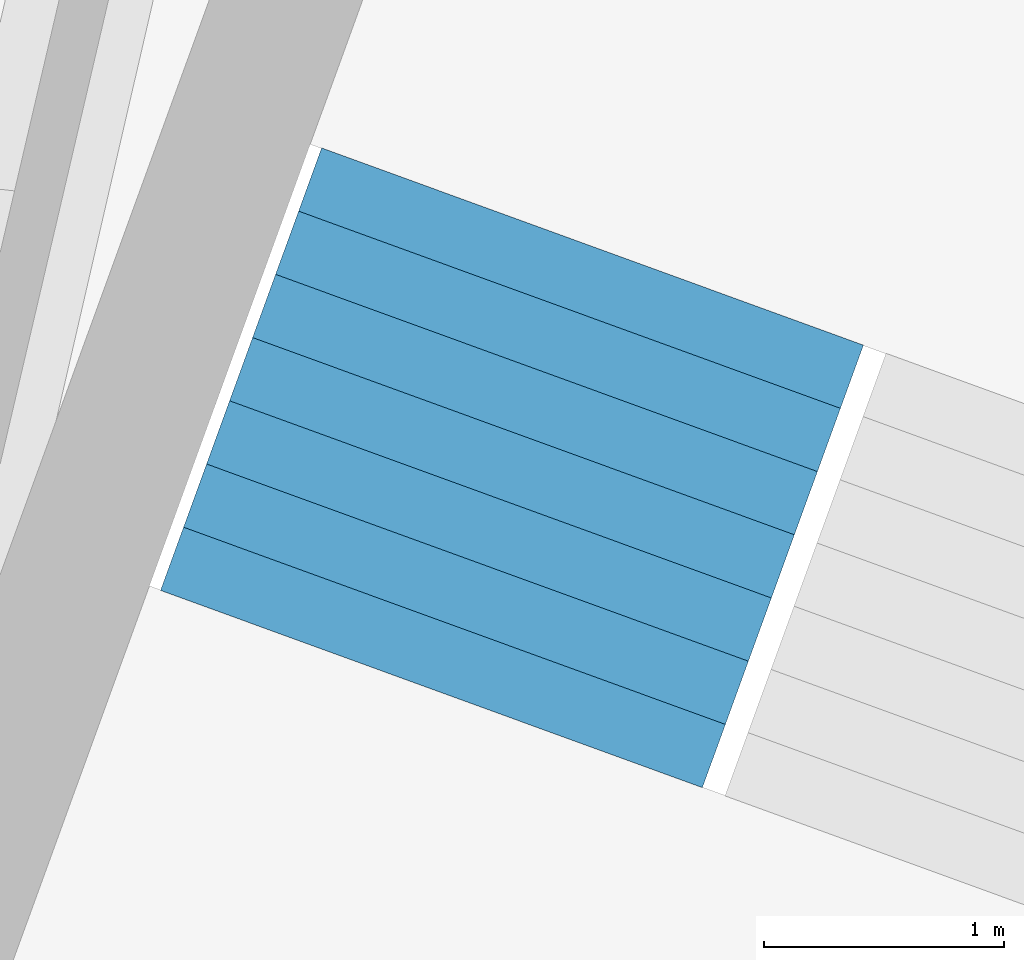
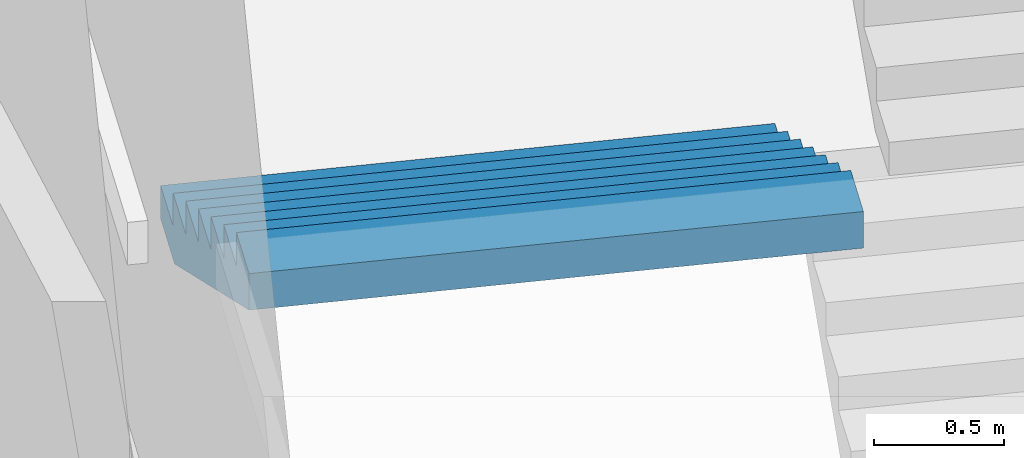
# One storey, part 45 of 73: 1 stair flight, 1 element without a shape of its own.
"""IFC4 building model written with IfcOpenShell, lengths in metres."""

from ifc_helpers import new_model, si_unit, direction, frame, origin, place, context, subcontext, project, spatial, triangles, material, type_object, element, aggregate, save


model = new_model("IFC4")

# Units and contexts
model_context = context("Model", 3, precision=1e-05, world=origin(), true_north=direction((0.0, 1.0)))
body_context = subcontext(model_context, "Body", "Model", "MODEL_VIEW")
ifc_project = project(units=[si_unit("LENGTHUNIT", "METRE"), si_unit("AREAUNIT", "SQUARE_METRE"), si_unit("VOLUMEUNIT", "CUBIC_METRE"), si_unit("PLANEANGLEUNIT", "RADIAN"), si_unit("MASSUNIT", "GRAM", prefix="KILO")], contexts=[model_context])

# Site, building, storey
site_placement = place(None, origin())
site = spatial("IfcSite", under=ifc_project, at=site_placement, CompositionType="ELEMENT")
building_placement = place(site_placement, origin())
building = spatial("IfcBuilding", under=site, at=building_placement, Name="Lantaw Convention Tower", CompositionType="ELEMENT")
storey_placement = place(building_placement, frame((0.0, 0.0, 27.0)))
storey = spatial("IfcBuildingStorey", under=building, at=storey_placement, Name="L04", CompositionType="ELEMENT", Elevation=27.0)

# Stair, stair flight
ifc_material = material(Name="Concrete C35/45", Category="concrete")
stair_type = type_object("IfcStairType", Name="Exit stair 2400 riser 156.25 in 4 flights", PredefinedType="HALF_TURN_STAIR", material=ifc_material)
stair_placement = place(storey_placement, origin())
stair = element("IfcStair", 1, at=stair_placement, inside=storey, type_object=stair_type, Name="Podium exit stair P5 L04", PredefinedType="HALF_TURN_STAIR")
stair_flight_type = type_object("IfcStairFlightType", Name="Stair flight 2400 riser 156.25", PredefinedType="STRAIGHT", material=ifc_material)
stair_flight_placement = place(storey_placement, frame((8.79736328125, 27.825439453125, 1.25), z_axis=(0.0, 0.0, 1.0), x_axis=(-0.342020143326, -0.939692620786, 0.0)))
stair_flight = element("IfcStairFlight", 2, at=stair_flight_placement, type_object=stair_flight_type, Name="P5 flight 2", NumberOfRisers=8, NumberOfTreads=7, PredefinedType="STRAIGHT", RiserHeight=0.15625, TreadLength=0.28, context=body_context, shape_type="Tessellation", body=[
    triangles([(0.0, 1.199951171875, 0.0), (0.0, 1.199951171875, 0.15625), (0.28, 1.199951171875, 0.0), (0.28, 1.199951171875, 0.15625), (0.28, 1.199951171875, 0.3125), (0.3076200632058044, 1.199951171875, 0.0), (0.3076200632058044, 1.199951171875, 0.3125), (0.56, 1.199951171875, 0.14083701830033238), (0.56, 1.199951171875, 0.3125), (0.56, 1.199951171875, 0.46875), (0.8400000000000001, 1.199951171875, 0.29708701830033235), (0.8400000000000001, 1.199951171875, 0.46875), (0.8400000000000001, 1.199951171875, 0.625), (1.12, 1.199951171875, 0.45333701830033235), (1.12, 1.199951171875, 0.625), (1.12, 1.199951171875, 0.78125), (1.4000000000000001, 1.199951171875, 0.6095870183003324), (1.4000000000000001, 1.199951171875, 0.78125), (1.4000000000000001, 1.199951171875, 0.9375), (1.6800000000000002, 1.199951171875, 0.7658370183003324), (1.6800000000000002, 1.199951171875, 0.9375), (1.6800000000000002, 1.199951171875, 1.09375), (1.9600000000000002, 1.199951171875, 0.9220870183003324), (1.9600000000000002, 1.199951171875, 1.09375), (0.0, -1.199951171875, 0.0), (0.0, -1.199951171875, 0.15625), (0.28, -1.199951171875, 0.0), (0.28, -1.199951171875, 0.15625), (0.28, -1.199951171875, 0.3125), (0.3076200632058044, -1.199951171875, 0.0), (0.3076200632058044, -1.199951171875, 0.3125), (0.56, -1.199951171875, 0.14083701830033238), (0.56, -1.199951171875, 0.3125), (0.56, -1.199951171875, 0.46875), (0.8400000000000001, -1.199951171875, 0.29708701830033235), (0.8400000000000001, -1.199951171875, 0.46875), (0.8400000000000001, -1.199951171875, 0.625), (1.12, -1.199951171875, 0.45333701830033235), (1.12, -1.199951171875, 0.625), (1.12, -1.199951171875, 0.78125), (1.4000000000000001, -1.199951171875, 0.6095870183003324), (1.4000000000000001, -1.199951171875, 0.78125), (1.4000000000000001, -1.199951171875, 0.9375), (1.6800000000000002, -1.199951171875, 0.7658370183003324), (1.6800000000000002, -1.199951171875, 0.9375), (1.6800000000000002, -1.199951171875, 1.09375), (1.9600000000000002, -1.199951171875, 0.9220870183003324), (1.9600000000000002, -1.199951171875, 1.09375), (0.0, 0.239990234375, 0.15625), (0.0, 0.239990234375, 0.0), (0.0, 0.1919921875, 0.15625), (0.0, 0.1919921875, 0.0), (0.0, 0.143994140625, 0.15625), (0.0, 0.143994140625, 0.0), (0.0, 0.09599609375, 0.15625), (0.0, 0.09599609375, 0.0), (0.0, 0.047998046875, 0.15625), (0.0, 0.047998046875, 0.0), (0.0, 0.0, 0.15625), (0.0, 0.0, 0.0), (0.0, -0.047998046875, 0.15625), (0.0, -0.047998046875, 0.0), (0.0, -0.09599609375, 0.15625), (0.0, -0.09599609375, 0.0), (0.0, -0.143994140625, 0.15625), (0.0, -0.143994140625, 0.0), (0.0, -0.1919921875, 0.15625), (0.0, -0.1919921875, 0.0), (0.0, -0.239990234375, 0.15625), (0.0, -0.239990234375, 0.0), (0.28, 0.239990234375, 0.3125), (0.28, 0.239990234375, 0.15625), (0.28, 0.1919921875, 0.3125), (0.28, 0.1919921875, 0.15625), (0.28, 0.143994140625, 0.3125), (0.28, 0.143994140625, 0.15625), (0.28, 0.09599609375, 0.3125), (0.28, 0.09599609375, 0.15625), (0.28, 0.047998046875, 0.3125), (0.28, 0.047998046875, 0.15625), (0.28, 0.0, 0.3125), (0.28, 0.0, 0.15625), (0.28, -0.047998046875, 0.3125), (0.28, -0.047998046875, 0.15625), (0.28, -0.09599609375, 0.3125), (0.28, -0.09599609375, 0.15625), (0.28, -0.143994140625, 0.3125), (0.28, -0.143994140625, 0.15625), (0.28, -0.1919921875, 0.3125), (0.28, -0.1919921875, 0.15625), (0.28, -0.239990234375, 0.3125), (0.28, -0.239990234375, 0.15625), (0.56, 0.239990234375, 0.46875), (0.56, 0.239990234375, 0.3125), (0.56, 0.1919921875, 0.46875), (0.56, 0.1919921875, 0.3125), (0.56, 0.143994140625, 0.46875), (0.56, 0.143994140625, 0.3125), (0.56, 0.09599609375, 0.46875), (0.56, 0.09599609375, 0.3125), (0.56, 0.047998046875, 0.46875), (0.56, 0.047998046875, 0.3125), (0.56, 0.0, 0.46875), (0.56, 0.0, 0.3125), (0.56, -0.047998046875, 0.46875), (0.56, -0.047998046875, 0.3125), (0.56, -0.09599609375, 0.46875), (0.56, -0.09599609375, 0.3125), (0.56, -0.143994140625, 0.46875), (0.56, -0.143994140625, 0.3125), (0.56, -0.1919921875, 0.46875), (0.56, -0.1919921875, 0.3125), (0.56, -0.239990234375, 0.46875), (0.56, -0.239990234375, 0.3125), (0.8400000000000001, 0.239990234375, 0.625), (0.8400000000000001, 0.239990234375, 0.46875), (0.8400000000000001, 0.1919921875, 0.625), (0.8400000000000001, 0.1919921875, 0.46875), (0.8400000000000001, 0.143994140625, 0.625), (0.8400000000000001, 0.143994140625, 0.46875), (0.8400000000000001, 0.09599609375, 0.625), (0.8400000000000001, 0.09599609375, 0.46875), (0.8400000000000001, 0.047998046875, 0.625), (0.8400000000000001, 0.047998046875, 0.46875), (0.8400000000000001, 0.0, 0.625), (0.8400000000000001, 0.0, 0.46875), (0.8400000000000001, -0.047998046875, 0.625), (0.8400000000000001, -0.047998046875, 0.46875), (0.8400000000000001, -0.09599609375, 0.625), (0.8400000000000001, -0.09599609375, 0.46875), (0.8400000000000001, -0.143994140625, 0.625), (0.8400000000000001, -0.143994140625, 0.46875), (0.8400000000000001, -0.1919921875, 0.625), (0.8400000000000001, -0.1919921875, 0.46875), (0.8400000000000001, -0.239990234375, 0.625), (0.8400000000000001, -0.239990234375, 0.46875), (1.12, 0.239990234375, 0.78125), (1.12, 0.239990234375, 0.625), (1.12, 0.1919921875, 0.78125), (1.12, 0.1919921875, 0.625), (1.12, 0.143994140625, 0.78125), (1.12, 0.143994140625, 0.625), (1.12, 0.09599609375, 0.78125), (1.12, 0.09599609375, 0.625), (1.12, 0.047998046875, 0.78125), (1.12, 0.047998046875, 0.625), (1.12, 0.0, 0.78125), (1.12, 0.0, 0.625), (1.12, -0.047998046875, 0.78125), (1.12, -0.047998046875, 0.625), (1.12, -0.09599609375, 0.78125), (1.12, -0.09599609375, 0.625), (1.12, -0.143994140625, 0.78125), (1.12, -0.143994140625, 0.625), (1.12, -0.1919921875, 0.78125), (1.12, -0.1919921875, 0.625), (1.12, -0.239990234375, 0.78125), (1.12, -0.239990234375, 0.625), (1.4000000000000001, 0.239990234375, 0.9375), (1.4000000000000001, 0.239990234375, 0.78125), (1.4000000000000001, 0.1919921875, 0.9375), (1.4000000000000001, 0.1919921875, 0.78125), (1.4000000000000001, 0.143994140625, 0.9375), (1.4000000000000001, 0.143994140625, 0.78125), (1.4000000000000001, 0.09599609375, 0.9375), (1.4000000000000001, 0.09599609375, 0.78125), (1.4000000000000001, 0.047998046875, 0.9375), (1.4000000000000001, 0.047998046875, 0.78125), (1.4000000000000001, 0.0, 0.9375), (1.4000000000000001, 0.0, 0.78125), (1.4000000000000001, -0.047998046875, 0.9375), (1.4000000000000001, -0.047998046875, 0.78125), (1.4000000000000001, -0.09599609375, 0.9375), (1.4000000000000001, -0.09599609375, 0.78125), (1.4000000000000001, -0.143994140625, 0.9375), (1.4000000000000001, -0.143994140625, 0.78125), (1.4000000000000001, -0.1919921875, 0.9375), (1.4000000000000001, -0.1919921875, 0.78125), (1.4000000000000001, -0.239990234375, 0.9375), (1.4000000000000001, -0.239990234375, 0.78125), (1.6800000000000002, 0.239990234375, 1.09375), (1.6800000000000002, 0.239990234375, 0.9375), (1.6800000000000002, 0.1919921875, 1.09375), (1.6800000000000002, 0.1919921875, 0.9375), (1.6800000000000002, 0.143994140625, 1.09375), (1.6800000000000002, 0.143994140625, 0.9375), (1.6800000000000002, 0.09599609375, 1.09375), (1.6800000000000002, 0.09599609375, 0.9375), (1.6800000000000002, 0.047998046875, 1.09375), (1.6800000000000002, 0.047998046875, 0.9375), (1.6800000000000002, 0.0, 1.09375), (1.6800000000000002, 0.0, 0.9375), (1.6800000000000002, -0.047998046875, 1.09375), (1.6800000000000002, -0.047998046875, 0.9375), (1.6800000000000002, -0.09599609375, 1.09375), (1.6800000000000002, -0.09599609375, 0.9375), (1.6800000000000002, -0.143994140625, 1.09375), (1.6800000000000002, -0.143994140625, 0.9375), (1.6800000000000002, -0.1919921875, 1.09375), (1.6800000000000002, -0.1919921875, 0.9375), (1.6800000000000002, -0.239990234375, 1.09375), (1.6800000000000002, -0.239990234375, 0.9375), (0.3076200632058044, 0.239990234375, 0.3125), (0.3076200632058044, 0.1919921875, 0.3125), (0.3076200632058044, 0.143994140625, 0.3125), (0.3076200632058044, 0.09599609375, 0.3125), (0.3076200632058044, 0.047998046875, 0.3125), (0.3076200632058044, 0.0, 0.3125), (0.3076200632058044, -0.047998046875, 0.3125), (0.3076200632058044, -0.09599609375, 0.3125), (0.3076200632058044, -0.143994140625, 0.3125), (0.3076200632058044, -0.1919921875, 0.3125), (0.3076200632058044, -0.239990234375, 0.3125), (1.9600000000000002, 0.239990234375, 1.09375), (1.9600000000000002, 0.1919921875, 1.09375), (1.9600000000000002, 0.143994140625, 1.09375), (1.9600000000000002, 0.09599609375, 1.09375), (1.9600000000000002, 0.047998046875, 1.09375), (1.9600000000000002, 0.0, 1.09375), (1.9600000000000002, -0.047998046875, 1.09375), (1.9600000000000002, -0.09599609375, 1.09375), (1.9600000000000002, -0.143994140625, 1.09375), (1.9600000000000002, -0.1919921875, 1.09375), (1.9600000000000002, -0.239990234375, 1.09375), (1.9600000000000002, 0.239990234375, 0.9220870183003324), (1.9600000000000002, 0.1919921875, 0.9220870183003324), (1.9600000000000002, 0.143994140625, 0.9220870183003324), (1.9600000000000002, 0.09599609375, 0.9220870183003324), (1.9600000000000002, 0.047998046875, 0.9220870183003324), (1.9600000000000002, 0.0, 0.9220870183003324), (1.9600000000000002, -0.047998046875, 0.9220870183003324), (1.9600000000000002, -0.09599609375, 0.9220870183003324), (1.9600000000000002, -0.143994140625, 0.9220870183003324), (1.9600000000000002, -0.1919921875, 0.9220870183003324), (1.9600000000000002, -0.239990234375, 0.9220870183003324), (1.6800000000000002, 0.239990234375, 0.7658370183003324), (1.6800000000000002, 0.1919921875, 0.7658370183003324), (1.6800000000000002, 0.143994140625, 0.7658370183003324), (1.6800000000000002, 0.09599609375, 0.7658370183003324), (1.6800000000000002, 0.047998046875, 0.7658370183003324), (1.6800000000000002, 0.0, 0.7658370183003324), (1.6800000000000002, -0.047998046875, 0.7658370183003324), (1.6800000000000002, -0.09599609375, 0.7658370183003324), (1.6800000000000002, -0.143994140625, 0.7658370183003324), (1.6800000000000002, -0.1919921875, 0.7658370183003324), (1.6800000000000002, -0.239990234375, 0.7658370183003324), (1.4000000000000001, 0.239990234375, 0.6095870183003324), (1.4000000000000001, 0.1919921875, 0.6095870183003324), (1.4000000000000001, 0.143994140625, 0.6095870183003324), (1.4000000000000001, 0.09599609375, 0.6095870183003324), (1.4000000000000001, 0.047998046875, 0.6095870183003324), (1.4000000000000001, 0.0, 0.6095870183003324), (1.4000000000000001, -0.047998046875, 0.6095870183003324), (1.4000000000000001, -0.09599609375, 0.6095870183003324), (1.4000000000000001, -0.143994140625, 0.6095870183003324), (1.4000000000000001, -0.1919921875, 0.6095870183003324), (1.4000000000000001, -0.239990234375, 0.6095870183003324), (1.12, 0.239990234375, 0.45333701830033235), (1.12, 0.1919921875, 0.45333701830033235), (1.12, 0.143994140625, 0.45333701830033235), (1.12, 0.09599609375, 0.45333701830033235), (1.12, 0.047998046875, 0.45333701830033235), (1.12, 0.0, 0.45333701830033235), (1.12, -0.047998046875, 0.45333701830033235), (1.12, -0.09599609375, 0.45333701830033235), (1.12, -0.143994140625, 0.45333701830033235), (1.12, -0.1919921875, 0.45333701830033235), (1.12, -0.239990234375, 0.45333701830033235), (0.8400000000000001, 0.239990234375, 0.29708701830033235), (0.8400000000000001, 0.1919921875, 0.29708701830033235), (0.8400000000000001, 0.143994140625, 0.29708701830033235), (0.8400000000000001, 0.09599609375, 0.29708701830033235), (0.8400000000000001, 0.047998046875, 0.29708701830033235), (0.8400000000000001, 0.0, 0.29708701830033235), (0.8400000000000001, -0.047998046875, 0.29708701830033235), (0.8400000000000001, -0.09599609375, 0.29708701830033235), (0.8400000000000001, -0.143994140625, 0.29708701830033235), (0.8400000000000001, -0.1919921875, 0.29708701830033235), (0.8400000000000001, -0.239990234375, 0.29708701830033235), (0.56, 0.239990234375, 0.14083701830033238), (0.56, 0.1919921875, 0.14083701830033238), (0.56, 0.143994140625, 0.14083701830033238), (0.56, 0.09599609375, 0.14083701830033238), (0.56, 0.047998046875, 0.14083701830033238), (0.56, 0.0, 0.14083701830033238), (0.56, -0.047998046875, 0.14083701830033238), (0.56, -0.09599609375, 0.14083701830033238), (0.56, -0.143994140625, 0.14083701830033238), (0.56, -0.1919921875, 0.14083701830033238), (0.56, -0.239990234375, 0.14083701830033238), (0.3076200632058044, 0.239990234375, 0.0), (0.3076200632058044, 0.1919921875, 0.0), (0.3076200632058044, 0.143994140625, 0.0), (0.3076200632058044, 0.09599609375, 0.0), (0.3076200632058044, 0.047998046875, 0.0), (0.3076200632058044, 0.0, 0.0), (0.3076200632058044, -0.047998046875, 0.0), (0.3076200632058044, -0.09599609375, 0.0), (0.3076200632058044, -0.143994140625, 0.0), (0.3076200632058044, -0.1919921875, 0.0), (0.3076200632058044, -0.239990234375, 0.0), (0.28, 0.239990234375, 0.0), (0.28, 0.1919921875, 0.0), (0.28, 0.143994140625, 0.0), (0.28, 0.09599609375, 0.0), (0.28, 0.047998046875, 0.0), (0.28, 0.0, 0.0), (0.28, -0.047998046875, 0.0), (0.28, -0.09599609375, 0.0), (0.28, -0.143994140625, 0.0), (0.28, -0.1919921875, 0.0), (0.28, -0.239990234375, 0.0)], [[1, 4, 3], [1, 2, 4], [3, 4, 6], [4, 7, 6], [4, 5, 7], [6, 9, 8], [6, 7, 9], [8, 9, 11], [9, 12, 11], [9, 10, 12], [11, 12, 14], [12, 15, 14], [12, 13, 15], [14, 15, 17], [15, 18, 17], [15, 16, 18], [17, 18, 20], [18, 21, 20], [18, 19, 21], [20, 21, 23], [21, 24, 23], [21, 22, 24], [25, 27, 28], [25, 28, 26], [27, 30, 28], [28, 30, 31], [28, 31, 29], [30, 32, 33], [30, 33, 31], [32, 35, 33], [33, 35, 36], [33, 36, 34], [35, 38, 36], [36, 38, 39], [36, 39, 37], [38, 41, 39], [39, 41, 42], [39, 42, 40], [41, 44, 42], [42, 44, 45], [42, 45, 43], [44, 47, 45], [45, 47, 48], [45, 48, 46], [1, 49, 2], [1, 50, 49], [50, 51, 49], [50, 52, 51], [52, 53, 51], [52, 54, 53], [54, 55, 53], [54, 56, 55], [56, 57, 55], [56, 58, 57], [58, 59, 57], [58, 60, 59], [60, 61, 59], [60, 62, 61], [62, 63, 61], [62, 64, 63], [64, 65, 63], [64, 66, 65], [66, 67, 65], [66, 68, 67], [68, 69, 67], [68, 70, 69], [70, 26, 69], [70, 25, 26], [4, 71, 5], [4, 72, 71], [72, 73, 71], [72, 74, 73], [74, 75, 73], [74, 76, 75], [76, 77, 75], [76, 78, 77], [78, 79, 77], [78, 80, 79], [80, 81, 79], [80, 82, 81], [82, 83, 81], [82, 84, 83], [84, 85, 83], [84, 86, 85], [86, 87, 85], [86, 88, 87], [88, 89, 87], [88, 90, 89], [90, 91, 89], [90, 92, 91], [92, 29, 91], [92, 28, 29], [9, 93, 10], [9, 94, 93], [94, 95, 93], [94, 96, 95], [96, 97, 95], [96, 98, 97], [98, 99, 97], [98, 100, 99], [100, 101, 99], [100, 102, 101], [102, 103, 101], [102, 104, 103], [104, 105, 103], [104, 106, 105], [106, 107, 105], [106, 108, 107], [108, 109, 107], [108, 110, 109], [110, 111, 109], [110, 112, 111], [112, 113, 111], [112, 114, 113], [114, 34, 113], [114, 33, 34], [12, 115, 13], [12, 116, 115], [116, 117, 115], [116, 118, 117], [118, 119, 117], [118, 120, 119], [120, 121, 119], [120, 122, 121], [122, 123, 121], [122, 124, 123], [124, 125, 123], [124, 126, 125], [126, 127, 125], [126, 128, 127], [128, 129, 127], [128, 130, 129], [130, 131, 129], [130, 132, 131], [132, 133, 131], [132, 134, 133], [134, 135, 133], [134, 136, 135], [136, 37, 135], [136, 36, 37], [15, 137, 16], [15, 138, 137], [138, 139, 137], [138, 140, 139], [140, 141, 139], [140, 142, 141], [142, 143, 141], [142, 144, 143], [144, 145, 143], [144, 146, 145], [146, 147, 145], [146, 148, 147], [148, 149, 147], [148, 150, 149], [150, 151, 149], [150, 152, 151], [152, 153, 151], [152, 154, 153], [154, 155, 153], [154, 156, 155], [156, 157, 155], [156, 158, 157], [158, 40, 157], [158, 39, 40], [18, 159, 19], [18, 160, 159], [160, 161, 159], [160, 162, 161], [162, 163, 161], [162, 164, 163], [164, 165, 163], [164, 166, 165], [166, 167, 165], [166, 168, 167], [168, 169, 167], [168, 170, 169], [170, 171, 169], [170, 172, 171], [172, 173, 171], [172, 174, 173], [174, 175, 173], [174, 176, 175], [176, 177, 175], [176, 178, 177], [178, 179, 177], [178, 180, 179], [180, 43, 179], [180, 42, 43], [21, 181, 22], [21, 182, 181], [182, 183, 181], [182, 184, 183], [184, 185, 183], [184, 186, 185], [186, 187, 185], [186, 188, 187], [188, 189, 187], [188, 190, 189], [190, 191, 189], [190, 192, 191], [192, 193, 191], [192, 194, 193], [194, 195, 193], [194, 196, 195], [196, 197, 195], [196, 198, 197], [198, 199, 197], [198, 200, 199], [200, 201, 199], [200, 202, 201], [202, 46, 201], [202, 45, 46], [2, 72, 4], [2, 49, 72], [49, 74, 72], [49, 51, 74], [51, 76, 74], [51, 53, 76], [53, 78, 76], [53, 55, 78], [55, 80, 78], [55, 57, 80], [57, 82, 80], [57, 59, 82], [59, 84, 82], [59, 61, 84], [61, 86, 84], [61, 63, 86], [63, 88, 86], [63, 65, 88], [65, 90, 88], [65, 67, 90], [67, 92, 90], [67, 69, 92], [69, 28, 92], [69, 26, 28], [5, 203, 7], [5, 71, 203], [71, 204, 203], [71, 73, 204], [73, 205, 204], [73, 75, 205], [75, 206, 205], [75, 77, 206], [77, 207, 206], [77, 79, 207], [79, 208, 207], [79, 81, 208], [81, 209, 208], [81, 83, 209], [83, 210, 209], [83, 85, 210], [85, 211, 210], [85, 87, 211], [87, 212, 211], [87, 89, 212], [89, 213, 212], [89, 91, 213], [91, 31, 213], [91, 29, 31], [7, 94, 9], [7, 203, 94], [203, 96, 94], [203, 204, 96], [204, 98, 96], [204, 205, 98], [205, 100, 98], [205, 206, 100], [206, 102, 100], [206, 207, 102], [207, 104, 102], [207, 208, 104], [208, 106, 104], [208, 209, 106], [209, 108, 106], [209, 210, 108], [210, 110, 108], [210, 211, 110], [211, 112, 110], [211, 212, 112], [212, 114, 112], [212, 213, 114], [213, 33, 114], [213, 31, 33], [10, 116, 12], [10, 93, 116], [93, 118, 116], [93, 95, 118], [95, 120, 118], [95, 97, 120], [97, 122, 120], [97, 99, 122], [99, 124, 122], [99, 101, 124], [101, 126, 124], [101, 103, 126], [103, 128, 126], [103, 105, 128], [105, 130, 128], [105, 107, 130], [107, 132, 130], [107, 109, 132], [109, 134, 132], [109, 111, 134], [111, 136, 134], [111, 113, 136], [113, 36, 136], [113, 34, 36], [13, 138, 15], [13, 115, 138], [115, 140, 138], [115, 117, 140], [117, 142, 140], [117, 119, 142], [119, 144, 142], [119, 121, 144], [121, 146, 144], [121, 123, 146], [123, 148, 146], [123, 125, 148], [125, 150, 148], [125, 127, 150], [127, 152, 150], [127, 129, 152], [129, 154, 152], [129, 131, 154], [131, 156, 154], [131, 133, 156], [133, 158, 156], [133, 135, 158], [135, 39, 158], [135, 37, 39], [16, 160, 18], [16, 137, 160], [137, 162, 160], [137, 139, 162], [139, 164, 162], [139, 141, 164], [141, 166, 164], [141, 143, 166], [143, 168, 166], [143, 145, 168], [145, 170, 168], [145, 147, 170], [147, 172, 170], [147, 149, 172], [149, 174, 172], [149, 151, 174], [151, 176, 174], [151, 153, 176], [153, 178, 176], [153, 155, 178], [155, 180, 178], [155, 157, 180], [157, 42, 180], [157, 40, 42], [19, 182, 21], [19, 159, 182], [159, 184, 182], [159, 161, 184], [161, 186, 184], [161, 163, 186], [163, 188, 186], [163, 165, 188], [165, 190, 188], [165, 167, 190], [167, 192, 190], [167, 169, 192], [169, 194, 192], [169, 171, 194], [171, 196, 194], [171, 173, 196], [173, 198, 196], [173, 175, 198], [175, 200, 198], [175, 177, 200], [177, 202, 200], [177, 179, 202], [179, 45, 202], [179, 43, 45], [22, 214, 24], [22, 181, 214], [181, 215, 214], [181, 183, 215], [183, 216, 215], [183, 185, 216], [185, 217, 216], [185, 187, 217], [187, 218, 217], [187, 189, 218], [189, 219, 218], [189, 191, 219], [191, 220, 219], [191, 193, 220], [193, 221, 220], [193, 195, 221], [195, 222, 221], [195, 197, 222], [197, 223, 222], [197, 199, 223], [199, 224, 223], [199, 201, 224], [201, 48, 224], [201, 46, 48], [24, 225, 23], [24, 214, 225], [214, 226, 225], [214, 215, 226], [215, 227, 226], [215, 216, 227], [216, 228, 227], [216, 217, 228], [217, 229, 228], [217, 218, 229], [218, 230, 229], [218, 219, 230], [219, 231, 230], [219, 220, 231], [220, 232, 231], [220, 221, 232], [221, 233, 232], [221, 222, 233], [222, 234, 233], [222, 223, 234], [223, 235, 234], [223, 224, 235], [224, 47, 235], [224, 48, 47], [23, 236, 20], [23, 225, 236], [225, 237, 236], [225, 226, 237], [226, 238, 237], [226, 227, 238], [227, 239, 238], [227, 228, 239], [228, 240, 239], [228, 229, 240], [229, 241, 240], [229, 230, 241], [230, 242, 241], [230, 231, 242], [231, 243, 242], [231, 232, 243], [232, 244, 243], [232, 233, 244], [233, 245, 244], [233, 234, 245], [234, 246, 245], [234, 235, 246], [235, 44, 246], [235, 47, 44], [20, 247, 17], [20, 236, 247], [236, 248, 247], [236, 237, 248], [237, 249, 248], [237, 238, 249], [238, 250, 249], [238, 239, 250], [239, 251, 250], [239, 240, 251], [240, 252, 251], [240, 241, 252], [241, 253, 252], [241, 242, 253], [242, 254, 253], [242, 243, 254], [243, 255, 254], [243, 244, 255], [244, 256, 255], [244, 245, 256], [245, 257, 256], [245, 246, 257], [246, 41, 257], [246, 44, 41], [17, 258, 14], [17, 247, 258], [247, 259, 258], [247, 248, 259], [248, 260, 259], [248, 249, 260], [249, 261, 260], [249, 250, 261], [250, 262, 261], [250, 251, 262], [251, 263, 262], [251, 252, 263], [252, 264, 263], [252, 253, 264], [253, 265, 264], [253, 254, 265], [254, 266, 265], [254, 255, 266], [255, 267, 266], [255, 256, 267], [256, 268, 267], [256, 257, 268], [257, 38, 268], [257, 41, 38], [14, 269, 11], [14, 258, 269], [258, 270, 269], [258, 259, 270], [259, 271, 270], [259, 260, 271], [260, 272, 271], [260, 261, 272], [261, 273, 272], [261, 262, 273], [262, 274, 273], [262, 263, 274], [263, 275, 274], [263, 264, 275], [264, 276, 275], [264, 265, 276], [265, 277, 276], [265, 266, 277], [266, 278, 277], [266, 267, 278], [267, 279, 278], [267, 268, 279], [268, 35, 279], [268, 38, 35], [11, 280, 8], [11, 269, 280], [269, 281, 280], [269, 270, 281], [270, 282, 281], [270, 271, 282], [271, 283, 282], [271, 272, 283], [272, 284, 283], [272, 273, 284], [273, 285, 284], [273, 274, 285], [274, 286, 285], [274, 275, 286], [275, 287, 286], [275, 276, 287], [276, 288, 287], [276, 277, 288], [277, 289, 288], [277, 278, 289], [278, 290, 289], [278, 279, 290], [279, 32, 290], [279, 35, 32], [8, 291, 6], [8, 280, 291], [280, 292, 291], [280, 281, 292], [281, 293, 292], [281, 282, 293], [282, 294, 293], [282, 283, 294], [283, 295, 294], [283, 284, 295], [284, 296, 295], [284, 285, 296], [285, 297, 296], [285, 286, 297], [286, 298, 297], [286, 287, 298], [287, 299, 298], [287, 288, 299], [288, 300, 299], [288, 289, 300], [289, 301, 300], [289, 290, 301], [290, 30, 301], [290, 32, 30], [6, 302, 3], [6, 291, 302], [291, 303, 302], [291, 292, 303], [292, 304, 303], [292, 293, 304], [293, 305, 304], [293, 294, 305], [294, 306, 305], [294, 295, 306], [295, 307, 306], [295, 296, 307], [296, 308, 307], [296, 297, 308], [297, 309, 308], [297, 298, 309], [298, 310, 309], [298, 299, 310], [299, 311, 310], [299, 300, 311], [300, 312, 311], [300, 301, 312], [301, 27, 312], [301, 30, 27], [3, 50, 1], [3, 302, 50], [302, 52, 50], [302, 303, 52], [303, 54, 52], [303, 304, 54], [304, 56, 54], [304, 305, 56], [305, 58, 56], [305, 306, 58], [306, 60, 58], [306, 307, 60], [307, 62, 60], [307, 308, 62], [308, 64, 62], [308, 309, 64], [309, 66, 64], [309, 310, 66], [310, 68, 66], [310, 311, 68], [311, 70, 68], [311, 312, 70], [312, 25, 70], [312, 27, 25]], closed=True),
])
aggregate(stair, [stair_flight])

save(model, "model.ifc")
